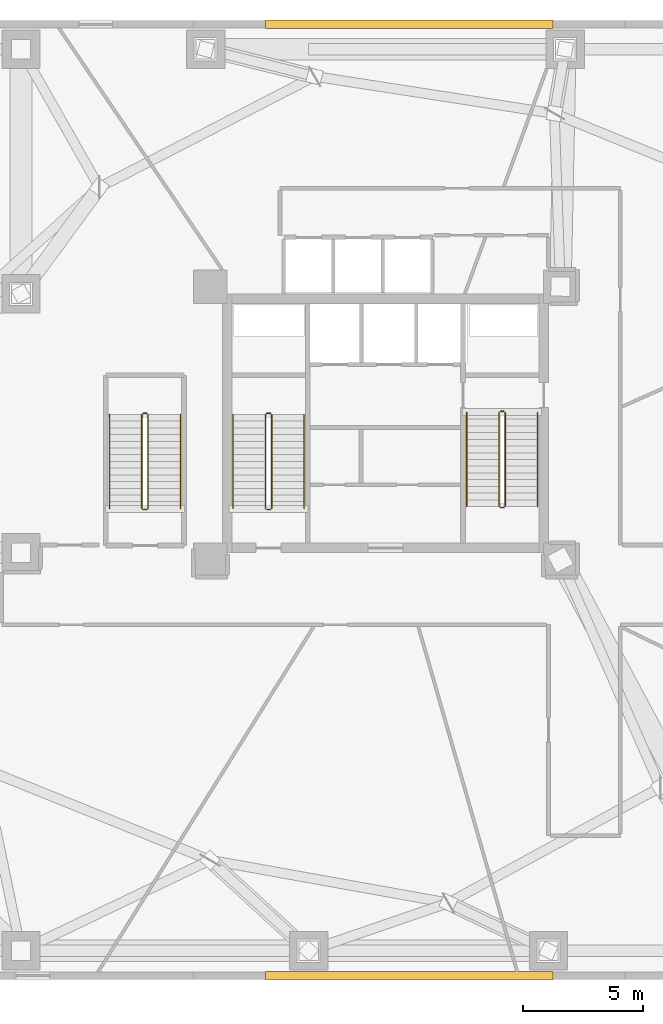
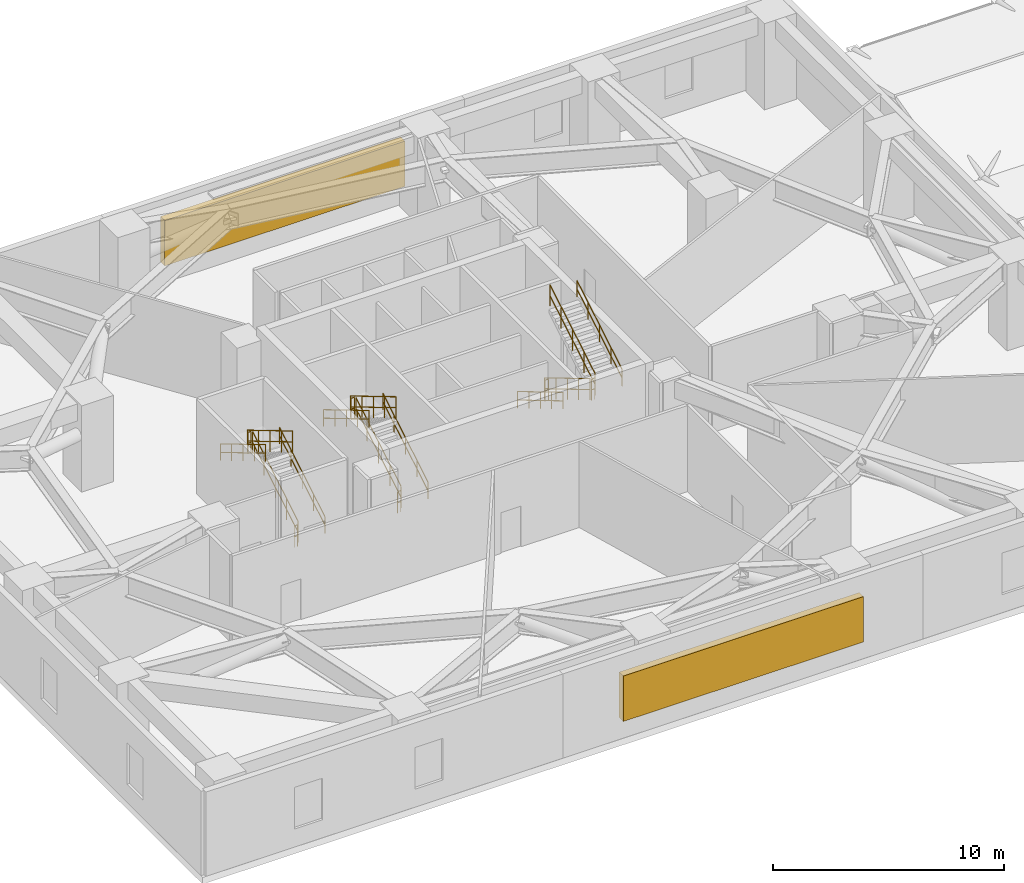
# One storey, part 12 of 13: 18 railings, 2 shading devices.
"""IFC4 building model written with IfcOpenShell, lengths in metres."""

from ifc_helpers import new_model, si_unit, direction, frame, origin, origin_2d, place, context, subcontext, project, spatial, rectangle, circle, extrude, source, transform, mapped, material, type_object, type_shapes, element, save


model = new_model("IFC4")

# Units and contexts
model_context = context("Model", 3, precision=1e-05, world=origin(), true_north=direction((0.0, 1.0)))
body_context = subcontext(model_context, "Body", "Model", "MODEL_VIEW")
ifc_project = project(units=[si_unit("LENGTHUNIT", "METRE"), si_unit("AREAUNIT", "SQUARE_METRE"), si_unit("VOLUMEUNIT", "CUBIC_METRE"), si_unit("PLANEANGLEUNIT", "RADIAN"), si_unit("MASSUNIT", "GRAM", prefix="KILO")], contexts=[model_context])

# Site, building, storey
site_placement = place(None, origin())
site = spatial("IfcSite", under=ifc_project, at=site_placement, CompositionType="ELEMENT")
building_placement = place(site_placement, origin())
building = spatial("IfcBuilding", under=site, at=building_placement, Name="Talar Marvaseh", CompositionType="ELEMENT")
storey_placement = place(building_placement, frame((0.0, 0.0, 19.0)))
storey = spatial("IfcBuildingStorey", under=building, at=storey_placement, Name="L04", CompositionType="ELEMENT", Elevation=19.0)

# Railings
ifc_material_1 = material(Name="Stainless Steel Grade 316", Category="steel")
railing_type_1 = type_object("IfcRailingType", Name="Brushed Stainless Wall Pitch Handrail 900", PredefinedType="HANDRAIL", material=ifc_material_1)
railing_1_placement = place(storey_placement, frame((22.610107421875, 27.64990234375, 0.166748046875)))
element("IfcRailing", 1, at=railing_1_placement, inside=storey, type_object=railing_type_1, Name="L04 ST-1 stair handrail 1", PredefinedType="HANDRAIL", context=body_context, shape_type="SweptSolid", body=[
    extrude(circle(Radius=0.02392578125, at=origin_2d()), frame((0.0, 0.0, 0.8759765625), z_axis=(0.0, 0.859310244771, 0.511454693235), x_axis=(-1.0, 0.0, 0.0)), (0.0, 0.0, 1.0), 4.56201171875),
    extrude(circle(Radius=0.02392578125, at=origin_2d()), frame((0.0, 0.0, 0.42578125), z_axis=(0.0, 0.859310244771, 0.511454693235), x_axis=(-1.0, 0.0, 0.0)), (0.0, 0.0, 1.0), 4.56201171875),
    extrude(circle(Radius=0.02099609375, at=origin_2d()), origin(), (0.0, 0.0, 1.0), 0.851806640625),
    extrude(circle(Radius=0.02099609375, at=origin_2d()), frame((0.0, 0.97998046875, 0.583251953125)), (0.0, 0.0, 1.0), 0.851806640625),
    extrude(circle(Radius=0.02099609375, at=origin_2d()), frame((0.0, 1.9599609375, 1.16650390625)), (0.0, 0.0, 1.0), 0.851806640625),
    extrude(circle(Radius=0.02099609375, at=origin_2d()), frame((0.0, 2.940185546875, 1.75)), (0.0, 0.0, 1.0), 0.851806640625),
    extrude(circle(Radius=0.02099609375, at=origin_2d()), frame((0.0, 3.920166015625, 2.333251953125)), (0.0, 0.0, 1.0), 0.851806640625),
])
railing_2_placement = place(storey_placement, frame((19.64990234375, 31.570068359375, 2.666748046875)))
element("IfcRailing", 2, at=railing_2_placement, inside=storey, type_object=railing_type_1, Name="L04 ST-1 stair handrail 2", PredefinedType="HANDRAIL", context=body_context, shape_type="SweptSolid", body=[
    extrude(circle(Radius=0.02392578125, at=origin_2d()), frame((0.0, 0.0, 0.8759765625), z_axis=(0.0, -0.859310244771, 0.511454693235), x_axis=(1.0, 0.0, 0.0)), (0.0, 0.0, 1.0), 4.56201171875),
    extrude(circle(Radius=0.02392578125, at=origin_2d()), frame((0.0, 0.0, 0.42578125), z_axis=(0.0, -0.859310244771, 0.511454693235), x_axis=(1.0, 0.0, 0.0)), (0.0, 0.0, 1.0), 4.56201171875),
    extrude(circle(Radius=0.02099609375, at=origin_2d()), origin(), (0.0, 0.0, 1.0), 0.851806640625),
    extrude(circle(Radius=0.02099609375, at=origin_2d()), frame((0.0, -0.97998046875, 0.583251953125)), (0.0, 0.0, 1.0), 0.851806640625),
    extrude(circle(Radius=0.02099609375, at=origin_2d()), frame((0.0, -1.9599609375, 1.16650390625)), (0.0, 0.0, 1.0), 0.851806640625),
    extrude(circle(Radius=0.02099609375, at=origin_2d()), frame((0.0, -2.940185546875, 1.75)), (0.0, 0.0, 1.0), 0.851806640625),
    extrude(circle(Radius=0.02099609375, at=origin_2d()), frame((0.0, -3.920166015625, 2.333251953125)), (0.0, 0.0, 1.0), 0.851806640625),
])
railing_3_placement = place(storey_placement, frame((29.389892578125, 31.64990234375, 0.166748046875)))
element("IfcRailing", 3, at=railing_3_placement, inside=storey, type_object=railing_type_1, Name="L04 ST-2 stair handrail 1", PredefinedType="HANDRAIL", context=body_context, shape_type="SweptSolid", body=[
    extrude(circle(Radius=0.02392578125, at=origin_2d()), frame((0.0, 0.0, 0.8759765625), z_axis=(0.0, -0.859296244711, 0.511478214419), x_axis=(1.0, 0.0, 0.0)), (0.0, 0.0, 1.0), 4.561767578125),
    extrude(circle(Radius=0.02392578125, at=origin_2d()), frame((0.0, 0.0, 0.42578125), z_axis=(0.0, -0.859296244711, 0.511478214419), x_axis=(1.0, 0.0, 0.0)), (0.0, 0.0, 1.0), 4.561767578125),
    extrude(circle(Radius=0.02099609375, at=origin_2d()), origin(), (0.0, 0.0, 1.0), 0.851806640625),
    extrude(circle(Radius=0.02099609375, at=origin_2d()), frame((0.0, -0.97998046875, 0.583251953125)), (0.0, 0.0, 1.0), 0.851806640625),
    extrude(circle(Radius=0.02099609375, at=origin_2d()), frame((0.0, -1.9599609375, 1.16650390625)), (0.0, 0.0, 1.0), 0.851806640625),
    extrude(circle(Radius=0.02099609375, at=origin_2d()), frame((0.0, -2.93994140625, 1.75)), (0.0, 0.0, 1.0), 0.851806640625),
    extrude(circle(Radius=0.02099609375, at=origin_2d()), frame((0.0, -3.919921875, 2.333251953125)), (0.0, 0.0, 1.0), 0.851806640625),
])
railing_4_placement = place(storey_placement, frame((32.35009765625, 27.72998046875, 2.666748046875)))
element("IfcRailing", 4, at=railing_4_placement, inside=storey, type_object=railing_type_1, Name="L04 ST-2 stair handrail 2", PredefinedType="HANDRAIL", context=body_context, shape_type="SweptSolid", body=[
    extrude(circle(Radius=0.02392578125, at=origin_2d()), frame((0.0, 0.0, 0.8759765625), z_axis=(0.0, 0.859296244711, 0.511478214419), x_axis=(-1.0, 0.0, 0.0)), (0.0, 0.0, 1.0), 4.561767578125),
    extrude(circle(Radius=0.02392578125, at=origin_2d()), frame((0.0, 0.0, 0.42578125), z_axis=(0.0, 0.859296244711, 0.511478214419), x_axis=(-1.0, 0.0, 0.0)), (0.0, 0.0, 1.0), 4.561767578125),
    extrude(circle(Radius=0.02099609375, at=origin_2d()), origin(), (0.0, 0.0, 1.0), 0.851806640625),
    extrude(circle(Radius=0.02099609375, at=origin_2d()), frame((0.0, 0.97998046875, 0.583251953125)), (0.0, 0.0, 1.0), 0.851806640625),
    extrude(circle(Radius=0.02099609375, at=origin_2d()), frame((0.0, 1.9599609375, 1.16650390625)), (0.0, 0.0, 1.0), 0.851806640625),
    extrude(circle(Radius=0.02099609375, at=origin_2d()), frame((0.0, 2.93994140625, 1.75)), (0.0, 0.0, 1.0), 0.851806640625),
    extrude(circle(Radius=0.02099609375, at=origin_2d()), frame((0.0, 3.919921875, 2.333251953125)), (0.0, 0.0, 1.0), 0.851806640625),
])
railing_5_placement = place(storey_placement, frame((17.449951171875, 27.64990234375, 0.166748046875)))
element("IfcRailing", 5, at=railing_5_placement, inside=storey, type_object=railing_type_1, Name="L04 ST-3 stair handrail 1", PredefinedType="HANDRAIL", context=body_context, shape_type="SweptSolid", body=[
    extrude(circle(Radius=0.02392578125, at=origin_2d()), frame((0.0, 0.0, 0.8759765625), z_axis=(0.0, 0.859310244771, 0.511454693235), x_axis=(-1.0, 0.0, 0.0)), (0.0, 0.0, 1.0), 4.56201171875),
    extrude(circle(Radius=0.02392578125, at=origin_2d()), frame((0.0, 0.0, 0.42578125), z_axis=(0.0, 0.859310244771, 0.511454693235), x_axis=(-1.0, 0.0, 0.0)), (0.0, 0.0, 1.0), 4.56201171875),
    extrude(circle(Radius=0.02099609375, at=origin_2d()), origin(), (0.0, 0.0, 1.0), 0.851806640625),
    extrude(circle(Radius=0.02099609375, at=origin_2d()), frame((0.0, 0.97998046875, 0.583251953125)), (0.0, 0.0, 1.0), 0.851806640625),
    extrude(circle(Radius=0.02099609375, at=origin_2d()), frame((0.0, 1.9599609375, 1.16650390625)), (0.0, 0.0, 1.0), 0.851806640625),
    extrude(circle(Radius=0.02099609375, at=origin_2d()), frame((0.0, 2.940185546875, 1.75)), (0.0, 0.0, 1.0), 0.851806640625),
    extrude(circle(Radius=0.02099609375, at=origin_2d()), frame((0.0, 3.920166015625, 2.333251953125)), (0.0, 0.0, 1.0), 0.851806640625),
])
railing_6_placement = place(storey_placement, frame((14.489990234375, 31.570068359375, 2.666748046875)))
element("IfcRailing", 6, at=railing_6_placement, inside=storey, type_object=railing_type_1, Name="L04 ST-3 stair handrail 2", PredefinedType="HANDRAIL", context=body_context, shape_type="SweptSolid", body=[
    extrude(circle(Radius=0.02392578125, at=origin_2d()), frame((0.0, 0.0, 0.8759765625), z_axis=(0.0, -0.859310244771, 0.511454693235), x_axis=(1.0, 0.0, 0.0)), (0.0, 0.0, 1.0), 4.56201171875),
    extrude(circle(Radius=0.02392578125, at=origin_2d()), frame((0.0, 0.0, 0.42578125), z_axis=(0.0, -0.859310244771, 0.511454693235), x_axis=(1.0, 0.0, 0.0)), (0.0, 0.0, 1.0), 4.56201171875),
    extrude(circle(Radius=0.02099609375, at=origin_2d()), origin(), (0.0, 0.0, 1.0), 0.851806640625),
    extrude(circle(Radius=0.02099609375, at=origin_2d()), frame((0.0, -0.97998046875, 0.583251953125)), (0.0, 0.0, 1.0), 0.851806640625),
    extrude(circle(Radius=0.02099609375, at=origin_2d()), frame((0.0, -1.9599609375, 1.16650390625)), (0.0, 0.0, 1.0), 0.851806640625),
    extrude(circle(Radius=0.02099609375, at=origin_2d()), frame((0.0, -2.940185546875, 1.75)), (0.0, 0.0, 1.0), 0.851806640625),
    extrude(circle(Radius=0.02099609375, at=origin_2d()), frame((0.0, -3.920166015625, 2.333251953125)), (0.0, 0.0, 1.0), 0.851806640625),
])
railing_type_2 = type_object("IfcRailingType", Name="Painted Steel Core Stair Well Guardrail 1150", PredefinedType="GUARDRAIL", material=ifc_material_1)
railing_7_placement = place(storey_placement, frame((21.260009765625, 27.64990234375, 0.166748046875)))
element("IfcRailing", 7, at=railing_7_placement, inside=storey, type_object=railing_type_2, Name="L04 ST-1 stair guard 1", PredefinedType="GUARDRAIL", context=body_context, shape_type="SweptSolid", body=[
    extrude(circle(Radius=0.02392578125, at=origin_2d()), frame((0.0, 0.0, 1.1259765625), z_axis=(0.0, 0.859310244771, 0.511454693235), x_axis=(-1.0, 0.0, 0.0)), (0.0, 0.0, 1.0), 4.56201171875),
    extrude(circle(Radius=0.02392578125, at=origin_2d()), frame((0.0, 0.0, 0.55078125), z_axis=(0.0, 0.859310244771, 0.511454693235), x_axis=(-1.0, 0.0, 0.0)), (0.0, 0.0, 1.0), 4.56201171875),
    extrude(circle(Radius=0.02099609375, at=origin_2d()), origin(), (0.0, 0.0, 1.0), 1.101806640625),
    extrude(circle(Radius=0.02099609375, at=origin_2d()), frame((0.0, 0.97998046875, 0.583251953125)), (0.0, 0.0, 1.0), 1.101806640625),
    extrude(circle(Radius=0.02099609375, at=origin_2d()), frame((0.0, 1.9599609375, 1.16650390625)), (0.0, 0.0, 1.0), 1.101806640625),
    extrude(circle(Radius=0.02099609375, at=origin_2d()), frame((0.0, 2.940185546875, 1.75)), (0.0, 0.0, 1.0), 1.101806640625),
    extrude(circle(Radius=0.02099609375, at=origin_2d()), frame((0.0, 3.920166015625, 2.333251953125)), (0.0, 0.0, 1.0), 1.101806640625),
])
railing_8_placement = place(storey_placement, frame((21.2099609375, 31.6201171875, 2.5)))
element("IfcRailing", 8, at=railing_8_placement, inside=storey, type_object=railing_type_2, Name="L04 ST-1 stair guard 2", PredefinedType="GUARDRAIL", context=body_context, shape_type="SweptSolid", body=[
    extrude(circle(Radius=0.02392578125, at=origin_2d()), frame((0.0, 0.0, 1.1259765625), z_axis=(-1.0, 0.0, 0.0), x_axis=(0.0, -1.0, 0.0)), (0.0, 0.0, 1.0), 0.159912109375),
    extrude(circle(Radius=0.02392578125, at=origin_2d()), frame((0.0, 0.0, 0.55078125), z_axis=(-1.0, 0.0, 0.0), x_axis=(0.0, -1.0, 0.0)), (0.0, 0.0, 1.0), 0.159912109375),
    extrude(circle(Radius=0.02099609375, at=origin_2d()), origin(), (0.0, 0.0, 1.0), 1.101806640625),
    extrude(circle(Radius=0.02099609375, at=origin_2d()), frame((-0.159912109375, 0.0, 0.0)), (0.0, 0.0, 1.0), 1.101806640625),
])
railing_9_placement = place(storey_placement, frame((21.0, 31.570068359375, 2.666748046875)))
element("IfcRailing", 9, at=railing_9_placement, inside=storey, type_object=railing_type_2, Name="L04 ST-1 stair guard 3", PredefinedType="GUARDRAIL", context=body_context, shape_type="SweptSolid", body=[
    extrude(circle(Radius=0.02392578125, at=origin_2d()), frame((0.0, 0.0, 1.1259765625), z_axis=(0.0, -0.859310244771, 0.511454693235), x_axis=(1.0, 0.0, 0.0)), (0.0, 0.0, 1.0), 4.56201171875),
    extrude(circle(Radius=0.02392578125, at=origin_2d()), frame((0.0, 0.0, 0.55078125), z_axis=(0.0, -0.859310244771, 0.511454693235), x_axis=(1.0, 0.0, 0.0)), (0.0, 0.0, 1.0), 4.56201171875),
    extrude(circle(Radius=0.02099609375, at=origin_2d()), origin(), (0.0, 0.0, 1.0), 1.101806640625),
    extrude(circle(Radius=0.02099609375, at=origin_2d()), frame((0.0, -0.97998046875, 0.583251953125)), (0.0, 0.0, 1.0), 1.101806640625),
    extrude(circle(Radius=0.02099609375, at=origin_2d()), frame((0.0, -1.9599609375, 1.16650390625)), (0.0, 0.0, 1.0), 1.101806640625),
    extrude(circle(Radius=0.02099609375, at=origin_2d()), frame((0.0, -2.940185546875, 1.75)), (0.0, 0.0, 1.0), 1.101806640625),
    extrude(circle(Radius=0.02099609375, at=origin_2d()), frame((0.0, -3.920166015625, 2.333251953125)), (0.0, 0.0, 1.0), 1.101806640625),
])
railing_10_placement = place(storey_placement, frame((21.2099609375, 27.60009765625, 0.0)))
element("IfcRailing", 10, at=railing_10_placement, inside=storey, type_object=railing_type_2, Name="L04 ST-1 stair guard 4", PredefinedType="GUARDRAIL", context=body_context, shape_type="SweptSolid", body=[
    extrude(circle(Radius=0.02392578125, at=origin_2d()), frame((0.0, 0.0, 1.1259765625), z_axis=(-1.0, 0.0, 0.0), x_axis=(0.0, -1.0, 0.0)), (0.0, 0.0, 1.0), 0.159912109375),
    extrude(circle(Radius=0.02392578125, at=origin_2d()), frame((0.0, 0.0, 0.55078125), z_axis=(-1.0, 0.0, 0.0), x_axis=(0.0, -1.0, 0.0)), (0.0, 0.0, 1.0), 0.159912109375),
    extrude(circle(Radius=0.02099609375, at=origin_2d()), origin(), (0.0, 0.0, 1.0), 1.101806640625),
    extrude(circle(Radius=0.02099609375, at=origin_2d()), frame((-0.159912109375, 0.0, 0.0)), (0.0, 0.0, 1.0), 1.101806640625),
])
railing_11_placement = place(storey_placement, frame((30.739990234375, 31.64990234375, 0.166748046875)))
element("IfcRailing", 11, at=railing_11_placement, inside=storey, type_object=railing_type_2, Name="L04 ST-2 stair guard 1", PredefinedType="GUARDRAIL", context=body_context, shape_type="SweptSolid", body=[
    extrude(circle(Radius=0.02392578125, at=origin_2d()), frame((0.0, 0.0, 1.1259765625), z_axis=(0.0, -0.859296244711, 0.511478214419), x_axis=(1.0, 0.0, 0.0)), (0.0, 0.0, 1.0), 4.561767578125),
    extrude(circle(Radius=0.02392578125, at=origin_2d()), frame((0.0, 0.0, 0.55078125), z_axis=(0.0, -0.859296244711, 0.511478214419), x_axis=(1.0, 0.0, 0.0)), (0.0, 0.0, 1.0), 4.561767578125),
    extrude(circle(Radius=0.02099609375, at=origin_2d()), origin(), (0.0, 0.0, 1.0), 1.101806640625),
    extrude(circle(Radius=0.02099609375, at=origin_2d()), frame((0.0, -0.97998046875, 0.583251953125)), (0.0, 0.0, 1.0), 1.101806640625),
    extrude(circle(Radius=0.02099609375, at=origin_2d()), frame((0.0, -1.9599609375, 1.16650390625)), (0.0, 0.0, 1.0), 1.101806640625),
    extrude(circle(Radius=0.02099609375, at=origin_2d()), frame((0.0, -2.93994140625, 1.75)), (0.0, 0.0, 1.0), 1.101806640625),
    extrude(circle(Radius=0.02099609375, at=origin_2d()), frame((0.0, -3.919921875, 2.333251953125)), (0.0, 0.0, 1.0), 1.101806640625),
])
railing_12_placement = place(storey_placement, frame((30.7900390625, 27.679931640625, 2.5)))
element("IfcRailing", 12, at=railing_12_placement, inside=storey, type_object=railing_type_2, Name="L04 ST-2 stair guard 2", PredefinedType="GUARDRAIL", context=body_context, shape_type="SweptSolid", body=[
    extrude(circle(Radius=0.02392578125, at=origin_2d()), frame((0.0, 0.0, 1.1259765625), z_axis=(1.0, 0.0, 0.0), x_axis=(0.0, 1.0, 0.0)), (0.0, 0.0, 1.0), 0.159912109375),
    extrude(circle(Radius=0.02392578125, at=origin_2d()), frame((0.0, 0.0, 0.55078125), z_axis=(1.0, 0.0, 0.0), x_axis=(0.0, 1.0, 0.0)), (0.0, 0.0, 1.0), 0.159912109375),
    extrude(circle(Radius=0.02099609375, at=origin_2d()), origin(), (0.0, 0.0, 1.0), 1.101806640625),
    extrude(circle(Radius=0.02099609375, at=origin_2d()), frame((0.159912109375, 0.0, 0.0)), (0.0, 0.0, 1.0), 1.101806640625),
])
railing_13_placement = place(storey_placement, frame((31.0, 27.72998046875, 2.666748046875)))
element("IfcRailing", 13, at=railing_13_placement, inside=storey, type_object=railing_type_2, Name="L04 ST-2 stair guard 3", PredefinedType="GUARDRAIL", context=body_context, shape_type="SweptSolid", body=[
    extrude(circle(Radius=0.02392578125, at=origin_2d()), frame((0.0, 0.0, 1.1259765625), z_axis=(0.0, 0.859296244711, 0.511478214419), x_axis=(-1.0, 0.0, 0.0)), (0.0, 0.0, 1.0), 4.561767578125),
    extrude(circle(Radius=0.02392578125, at=origin_2d()), frame((0.0, 0.0, 0.55078125), z_axis=(0.0, 0.859296244711, 0.511478214419), x_axis=(-1.0, 0.0, 0.0)), (0.0, 0.0, 1.0), 4.561767578125),
    extrude(circle(Radius=0.02099609375, at=origin_2d()), origin(), (0.0, 0.0, 1.0), 1.101806640625),
    extrude(circle(Radius=0.02099609375, at=origin_2d()), frame((0.0, 0.97998046875, 0.583251953125)), (0.0, 0.0, 1.0), 1.101806640625),
    extrude(circle(Radius=0.02099609375, at=origin_2d()), frame((0.0, 1.9599609375, 1.16650390625)), (0.0, 0.0, 1.0), 1.101806640625),
    extrude(circle(Radius=0.02099609375, at=origin_2d()), frame((0.0, 2.93994140625, 1.75)), (0.0, 0.0, 1.0), 1.101806640625),
    extrude(circle(Radius=0.02099609375, at=origin_2d()), frame((0.0, 3.919921875, 2.333251953125)), (0.0, 0.0, 1.0), 1.101806640625),
])
railing_14_placement = place(storey_placement, frame((30.7900390625, 31.699951171875, 0.0)))
element("IfcRailing", 14, at=railing_14_placement, inside=storey, type_object=railing_type_2, Name="L04 ST-2 stair guard 4", PredefinedType="GUARDRAIL", context=body_context, shape_type="SweptSolid", body=[
    extrude(circle(Radius=0.02392578125, at=origin_2d()), frame((0.0, 0.0, 1.1259765625), z_axis=(1.0, 0.0, 0.0), x_axis=(0.0, 1.0, 0.0)), (0.0, 0.0, 1.0), 0.159912109375),
    extrude(circle(Radius=0.02392578125, at=origin_2d()), frame((0.0, 0.0, 0.55078125), z_axis=(1.0, 0.0, 0.0), x_axis=(0.0, 1.0, 0.0)), (0.0, 0.0, 1.0), 0.159912109375),
    extrude(circle(Radius=0.02099609375, at=origin_2d()), origin(), (0.0, 0.0, 1.0), 1.101806640625),
    extrude(circle(Radius=0.02099609375, at=origin_2d()), frame((0.159912109375, 0.0, 0.0)), (0.0, 0.0, 1.0), 1.101806640625),
])
railing_15_placement = place(storey_placement, frame((16.10009765625, 27.64990234375, 0.166748046875)))
element("IfcRailing", 15, at=railing_15_placement, inside=storey, type_object=railing_type_2, Name="L04 ST-3 stair guard 1", PredefinedType="GUARDRAIL", context=body_context, shape_type="SweptSolid", body=[
    extrude(circle(Radius=0.02392578125, at=origin_2d()), frame((0.0, 0.0, 1.1259765625), z_axis=(0.0, 0.859310244771, 0.511454693235), x_axis=(-1.0, 0.0, 0.0)), (0.0, 0.0, 1.0), 4.56201171875),
    extrude(circle(Radius=0.02392578125, at=origin_2d()), frame((0.0, 0.0, 0.55078125), z_axis=(0.0, 0.859310244771, 0.511454693235), x_axis=(-1.0, 0.0, 0.0)), (0.0, 0.0, 1.0), 4.56201171875),
    extrude(circle(Radius=0.02099609375, at=origin_2d()), origin(), (0.0, 0.0, 1.0), 1.101806640625),
    extrude(circle(Radius=0.02099609375, at=origin_2d()), frame((0.0, 0.97998046875, 0.583251953125)), (0.0, 0.0, 1.0), 1.101806640625),
    extrude(circle(Radius=0.02099609375, at=origin_2d()), frame((0.0, 1.9599609375, 1.16650390625)), (0.0, 0.0, 1.0), 1.101806640625),
    extrude(circle(Radius=0.02099609375, at=origin_2d()), frame((0.0, 2.940185546875, 1.75)), (0.0, 0.0, 1.0), 1.101806640625),
    extrude(circle(Radius=0.02099609375, at=origin_2d()), frame((0.0, 3.920166015625, 2.333251953125)), (0.0, 0.0, 1.0), 1.101806640625),
])
railing_16_placement = place(storey_placement, frame((16.050048828125, 31.6201171875, 2.5)))
element("IfcRailing", 16, at=railing_16_placement, inside=storey, type_object=railing_type_2, Name="L04 ST-3 stair guard 2", PredefinedType="GUARDRAIL", context=body_context, shape_type="SweptSolid", body=[
    extrude(circle(Radius=0.02392578125, at=origin_2d()), frame((0.0, 0.0, 1.1259765625), z_axis=(-1.0, 0.0, 0.0), x_axis=(0.0, -1.0, 0.0)), (0.0, 0.0, 1.0), 0.16015625),
    extrude(circle(Radius=0.02392578125, at=origin_2d()), frame((0.0, 0.0, 0.55078125), z_axis=(-1.0, 0.0, 0.0), x_axis=(0.0, -1.0, 0.0)), (0.0, 0.0, 1.0), 0.16015625),
    extrude(circle(Radius=0.02099609375, at=origin_2d()), origin(), (0.0, 0.0, 1.0), 1.101806640625),
    extrude(circle(Radius=0.02099609375, at=origin_2d()), frame((-0.16015625, 0.0, 0.0)), (0.0, 0.0, 1.0), 1.101806640625),
])
railing_17_placement = place(storey_placement, frame((15.840087890625, 31.570068359375, 2.666748046875)))
element("IfcRailing", 17, at=railing_17_placement, inside=storey, type_object=railing_type_2, Name="L04 ST-3 stair guard 3", PredefinedType="GUARDRAIL", context=body_context, shape_type="SweptSolid", body=[
    extrude(circle(Radius=0.02392578125, at=origin_2d()), frame((0.0, 0.0, 1.1259765625), z_axis=(0.0, -0.859310244771, 0.511454693235), x_axis=(1.0, 0.0, 0.0)), (0.0, 0.0, 1.0), 4.56201171875),
    extrude(circle(Radius=0.02392578125, at=origin_2d()), frame((0.0, 0.0, 0.55078125), z_axis=(0.0, -0.859310244771, 0.511454693235), x_axis=(1.0, 0.0, 0.0)), (0.0, 0.0, 1.0), 4.56201171875),
    extrude(circle(Radius=0.02099609375, at=origin_2d()), origin(), (0.0, 0.0, 1.0), 1.101806640625),
    extrude(circle(Radius=0.02099609375, at=origin_2d()), frame((0.0, -0.97998046875, 0.583251953125)), (0.0, 0.0, 1.0), 1.101806640625),
    extrude(circle(Radius=0.02099609375, at=origin_2d()), frame((0.0, -1.9599609375, 1.16650390625)), (0.0, 0.0, 1.0), 1.101806640625),
    extrude(circle(Radius=0.02099609375, at=origin_2d()), frame((0.0, -2.940185546875, 1.75)), (0.0, 0.0, 1.0), 1.101806640625),
    extrude(circle(Radius=0.02099609375, at=origin_2d()), frame((0.0, -3.920166015625, 2.333251953125)), (0.0, 0.0, 1.0), 1.101806640625),
])
railing_18_placement = place(storey_placement, frame((16.050048828125, 27.60009765625, 0.0)))
element("IfcRailing", 18, at=railing_18_placement, inside=storey, type_object=railing_type_2, Name="L04 ST-3 stair guard 4", PredefinedType="GUARDRAIL", context=body_context, shape_type="SweptSolid", body=[
    extrude(circle(Radius=0.02392578125, at=origin_2d()), frame((0.0, 0.0, 1.1259765625), z_axis=(-1.0, 0.0, 0.0), x_axis=(0.0, -1.0, 0.0)), (0.0, 0.0, 1.0), 0.16015625),
    extrude(circle(Radius=0.02392578125, at=origin_2d()), frame((0.0, 0.0, 0.55078125), z_axis=(-1.0, 0.0, 0.0), x_axis=(0.0, -1.0, 0.0)), (0.0, 0.0, 1.0), 0.16015625),
    extrude(circle(Radius=0.02099609375, at=origin_2d()), origin(), (0.0, 0.0, 1.0), 1.101806640625),
    extrude(circle(Radius=0.02099609375, at=origin_2d()), frame((-0.16015625, 0.0, 0.0)), (0.0, 0.0, 1.0), 1.101806640625),
])

# Shading devices
ifc_material_2 = material(Name="Anodised Champagne Bronze Aluminium", Category="aluminium")
shading_device_type = type_object("IfcShadingDeviceType", Name="Acoustic Weatherproof Plant Louvre Bank", PredefinedType="USERDEFINED", material=ifc_material_2)
shared_shape = source(origin(), body_context, "Body", "SweptSolid", [
    extrude(rectangle(XDim=12.0, YDim=0.360107421875, at=origin_2d()), origin(), (0.0, 0.0, 1.0), 2.39990234375),
])
type_shapes(shading_device_type, [shared_shape])
for number, where, z_axis, x_axis, name in (
    (19, (27.0, 8.159912109375, 0.900146484375), (0.0, 0.0, 1.0), (1.0, 0.0, 0.0), "L04 Podium South Transfer Plant Louvre"),
    (20, (27.0, 47.840087890625, 0.900146484375), (0.0, 0.0, 1.0), (1.0, 0.0, 0.0), "L04 Podium North Transfer Plant Louvre"),
):
    element("IfcShadingDevice", number, at=place(storey_placement, frame(where, z_axis=z_axis, x_axis=x_axis)), inside=storey, type_object=shading_device_type, Name=name, ObjectType="LOUVRE", PredefinedType="USERDEFINED", context=body_context, shape_type="MappedRepresentation", body=[
        mapped(shared_shape, transform((0.0, 0.0, 0.0), x_axis=(1.0, 0.0, 0.0), y_axis=(0.0, 1.0, 0.0), z_axis=(0.0, 0.0, 1.0), scale=1.0)),
    ])

save(model, "model.ifc")
